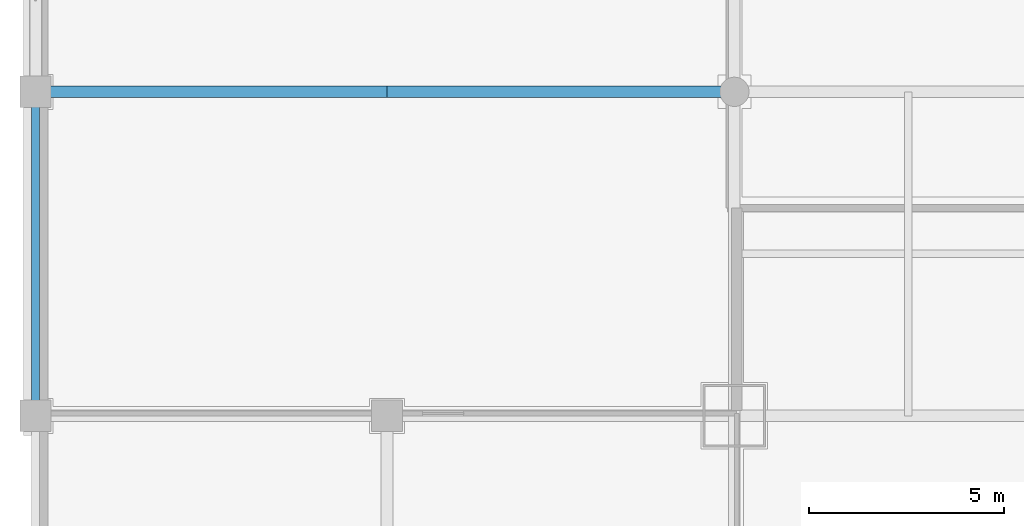
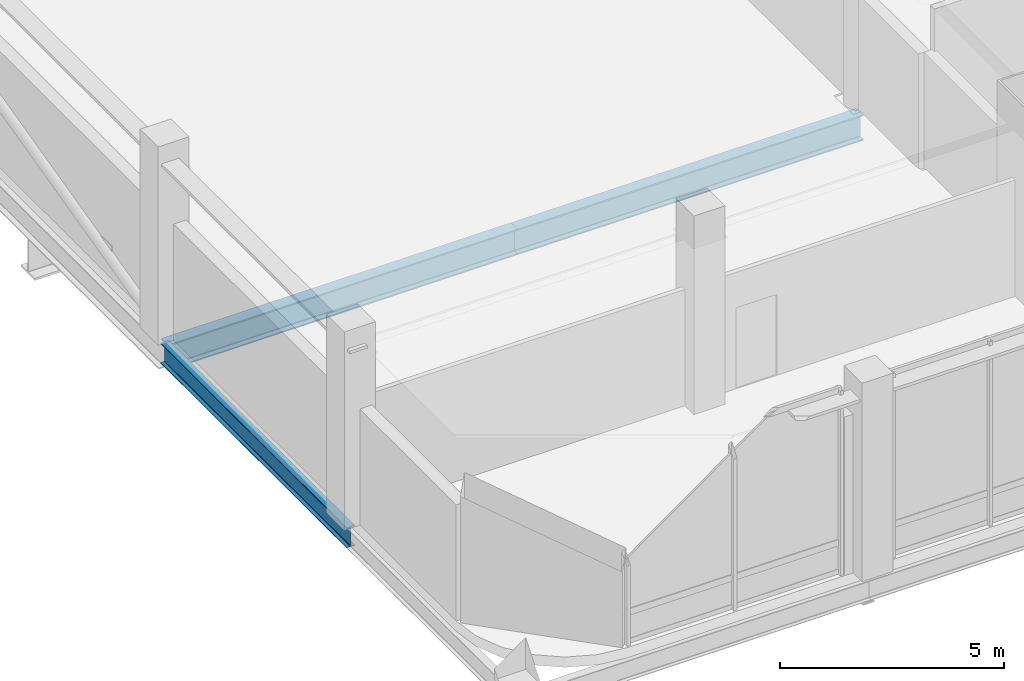
# One storey, part 3 of 35: 3 beams.
"""IFC4 building model written with IfcOpenShell, lengths in metres."""

from ifc_helpers import new_model, si_unit, direction, frame, origin, origin_2d, place, context, subcontext, project, spatial, i_section, extrude, material, material_profile, profile_set, type_object, element, save


model = new_model("IFC4")

# Units and contexts
model_context = context("Model", 3, precision=1e-05, world=origin(), true_north=direction((0.0, 1.0)))
body_context = subcontext(model_context, "Body", "Model", "MODEL_VIEW")
ifc_project = project(units=[si_unit("LENGTHUNIT", "METRE"), si_unit("AREAUNIT", "SQUARE_METRE"), si_unit("VOLUMEUNIT", "CUBIC_METRE"), si_unit("PLANEANGLEUNIT", "RADIAN"), si_unit("MASSUNIT", "GRAM", prefix="KILO")], contexts=[model_context])

# Site, building, storey
site_placement = place(None, origin())
site = spatial("IfcSite", under=ifc_project, at=site_placement, CompositionType="ELEMENT")
building_placement = place(site_placement, origin())
building = spatial("IfcBuilding", under=site, at=building_placement, Name="Punatoya Terracotta Tower", CompositionType="ELEMENT")
storey_placement = place(building_placement, frame((0.0, 0.0, 16.800048828125)))
storey = spatial("IfcBuildingStorey", under=building, at=storey_placement, Name="L03", CompositionType="ELEMENT", Elevation=16.800048828125)

# Beams
ifc_material = material(Name="Steel S355", Category="steel")
ifc_material_profile_1 = material_profile(ifc_material, i_section(OverallWidth=0.300048828125, OverallDepth=0.699951171875, WebThickness=0.01708984375, FlangeThickness=0.031982421875, FilletRadius=0.01806640625, at=origin_2d()))
ifc_profile_set_1 = profile_set([ifc_material_profile_1], Name="Steel S355")
beam_type_1 = type_object("IfcBeamType", Name="BM-PRI-700", PredefinedType="BEAM", material=ifc_profile_set_1)
beam_1_placement = place(storey_placement, frame((-37.0, -9.199951171875, -0.630126953125), z_axis=(1.0, 0.0, 0.0), x_axis=(0.0, 1.0, 0.0)))
element("IfcBeam", 1, at=beam_1_placement, inside=storey, type_object=beam_type_1, Name="BM-L03-CW1", PredefinedType="BEAM", context=body_context, shape_type="SweptSolid", body=[
    extrude(i_section(OverallWidth=0.300048828125, OverallDepth=0.699951171875, WebThickness=0.01708984375, FlangeThickness=0.031982421875, FilletRadius=0.01806640625, at=origin_2d()), origin(), (0.0, 0.0, 1.0), 9.0),
])
beam_2_placement = place(storey_placement, frame((-28.0, -9.199951171875, -0.630126953125), z_axis=(1.0, 0.0, 0.0), x_axis=(0.0, 1.0, 0.0)))
element("IfcBeam", 2, at=beam_2_placement, inside=storey, type_object=beam_type_1, Name="BM-L03-CW2", PredefinedType="BEAM", context=body_context, shape_type="SweptSolid", body=[
    extrude(i_section(OverallWidth=0.300048828125, OverallDepth=0.699951171875, WebThickness=0.01708984375, FlangeThickness=0.031982421875, FilletRadius=0.01806640625, at=origin_2d()), origin(), (0.0, 0.0, 1.0), 8.89990234375),
])
ifc_material_profile_2 = material_profile(ifc_material, i_section(OverallWidth=0.2099609375, OverallDepth=0.550048828125, WebThickness=0.010986328125, FlangeThickness=0.01708984375, FilletRadius=0.01806640625, at=origin_2d()))
ifc_profile_set_2 = profile_set([ifc_material_profile_2], Name="Steel S355")
beam_type_2 = type_object("IfcBeamType", Name="BM-SPN-550", PredefinedType="SPANDREL", material=ifc_profile_set_2)
beam_3_placement = place(storey_placement, frame((-37.0, -17.5, -0.554931640625), z_axis=(0.0, 1.0, 0.0), x_axis=(-1.0, 0.0, 0.0)))
element("IfcBeam", 3, at=beam_3_placement, inside=storey, type_object=beam_type_2, Name="BM-L03-X37W--17", PredefinedType="SPANDREL", context=body_context, shape_type="SweptSolid", body=[
    extrude(i_section(OverallWidth=0.2099609375, OverallDepth=0.550048828125, WebThickness=0.010986328125, FlangeThickness=0.01708984375, FilletRadius=0.01806640625, at=origin_2d()), origin(), (0.0, 0.0, 1.0), 8.300048828125),
])

save(model, "model.ifc")
